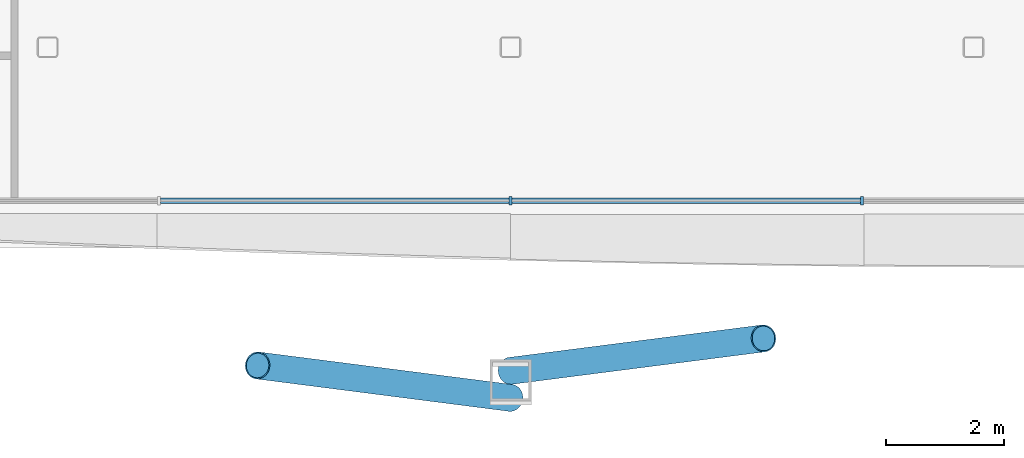
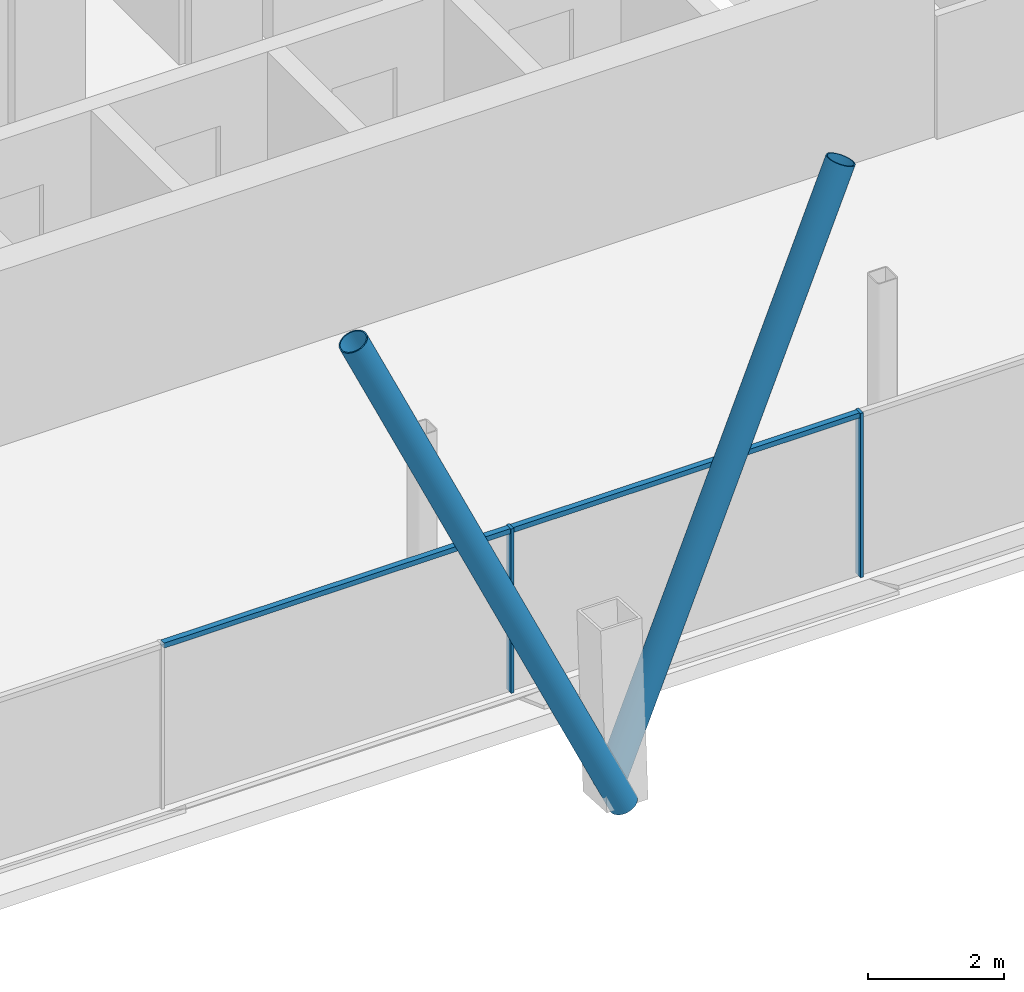
# One storey, part 5 of 21: 6 members, 1 element without a shape of its own.
"""IFC4 building model written with IfcOpenShell, lengths in metres."""

from ifc_helpers import new_model, si_unit, direction, frame, origin, origin_2d, place, context, subcontext, project, spatial, rectangle, hollow_circle, extrude, material, material_profile, profile_set, type_object, element, aggregate, save


model = new_model("IFC4")

# Units and contexts
model_context = context("Model", 3, precision=1e-05, world=origin(), true_north=direction((0.0, 1.0)))
body_context = subcontext(model_context, "Body", "Model", "MODEL_VIEW")
ifc_project = project(units=[si_unit("LENGTHUNIT", "METRE"), si_unit("AREAUNIT", "SQUARE_METRE"), si_unit("VOLUMEUNIT", "CUBIC_METRE"), si_unit("PLANEANGLEUNIT", "RADIAN"), si_unit("MASSUNIT", "GRAM", prefix="KILO")], contexts=[model_context])

# Site, building, storey
site_placement = place(None, origin())
site = spatial("IfcSite", under=ifc_project, at=site_placement, CompositionType="ELEMENT")
building_placement = place(site_placement, origin())
building = spatial("IfcBuilding", under=site, at=building_placement, Name="Tskaro Facet Tower", CompositionType="ELEMENT")
storey_placement = place(building_placement, frame((0.0, 0.0, 172.199951171875)))
storey = spatial("IfcBuildingStorey", under=building, at=storey_placement, Name="L42", CompositionType="ELEMENT", Elevation=172.199951171875)

# Members
ifc_material_1 = material(Name="Steel S355J2H", Category="steel")
ifc_material_profile_1 = material_profile(ifc_material_1, hollow_circle(Radius=0.228515625, WallThickness=0.02001953125, at=origin_2d()), Name="CHS 457x20")
ifc_profile_set_1 = profile_set([ifc_material_profile_1], Name="Steel S355J2H")
member_type_1 = type_object("IfcMemberType", Name="CHS 457x20 brace", PredefinedType="BRACE", material=ifc_profile_set_1)
for number, where, z_axis, x_axis, name in (
    (1, (-3.0, -24.50439453125, 0.0), (-0.41127610555, 0.052731925503, 0.909984235598), (-0.127174328036, -0.991880381038, 0.0), "CHS 457x20 XB01B/4"),
    (2, (-3.0, -24.047607421875, 0.0), (0.411275595577, 0.05275536964, 0.909983107237), (-0.127230108752, 0.991873227498, 0.0), "CHS 457x20 XB02A/4"),
):
    element("IfcMember", number, at=place(storey_placement, frame(where, z_axis=z_axis, x_axis=x_axis)), inside=storey, type_object=member_type_1, Name=name, PredefinedType="BRACE", context=body_context, shape_type="SweptSolid", body=[
        extrude(hollow_circle(Radius=0.228515625, WallThickness=0.02001953125, at=origin_2d()), origin(), (0.0, 0.0, 1.0), 10.384765625),
    ])

# Curtain wall, members
ifc_material_2 = material(Name="Bronze anodised aluminium 6063-T6", Category="aluminium")
curtain_wall_type = type_object("IfcCurtainWallType", Name="Bronze residence curtain wall (FW3)", PredefinedType="NOTDEFINED", material=ifc_material_2)
curtain_wall_placement = place(storey_placement, origin())
curtain_wall = element("IfcCurtainWall", 3, at=curtain_wall_placement, inside=storey, type_object=curtain_wall_type, Name="FW3 south facet L42", PredefinedType="NOTDEFINED")
ifc_material_profile_2 = material_profile(ifc_material_2, rectangle(XDim=0.050048828125, YDim=0.139892578125, at=origin_2d()), Name="Mullion 50x140")
ifc_profile_set_2 = profile_set([ifc_material_profile_2], Name="Bronze anodised aluminium 6063-T6")
member_type_2 = type_object("IfcMemberType", Name="FW3 bronze mullion 50x140", PredefinedType="MULLION", material=ifc_profile_set_2)
member_1_placement = place(storey_placement, frame((-3.0, -21.176025390625, 0.0), z_axis=(0.0, 0.0, 1.0), x_axis=(1.0, 0.0, 0.0)))
member_1 = element("IfcMember", 4, at=member_1_placement, type_object=member_type_2, Name="FW3 south mullion 3", PredefinedType="MULLION", context=body_context, shape_type="SweptSolid", body=[
    extrude(rectangle(XDim=0.050048828125, YDim=0.139892578125, at=origin_2d()), origin(), (0.0, 0.0, 1.0), 2.949951171875),
])
member_2_placement = place(storey_placement, frame((2.933349609375, -21.176025390625, 0.0), z_axis=(0.0, 0.0, 1.0), x_axis=(1.0, 0.0, 0.0)))
member_2 = element("IfcMember", 5, at=member_2_placement, type_object=member_type_2, Name="FW3 south mullion 4", PredefinedType="MULLION", context=body_context, shape_type="SweptSolid", body=[
    extrude(rectangle(XDim=0.050048828125, YDim=0.139892578125, at=origin_2d()), origin(), (0.0, 0.0, 1.0), 2.949951171875),
])
ifc_material_profile_3 = material_profile(ifc_material_2, rectangle(XDim=0.10009765625, YDim=0.090087890625, at=origin_2d()), Name="Transom 100x90")
ifc_profile_set_3 = profile_set([ifc_material_profile_3], Name="Bronze anodised aluminium 6063-T6")
member_type_3 = type_object("IfcMemberType", Name="FW3 bronze transom 100x90", PredefinedType="USERDEFINED", material=ifc_profile_set_3)
member_3_placement = place(storey_placement, frame((-8.908447265625, -21.176025390625, 2.905029296875), z_axis=(1.0, 0.0, 0.0), x_axis=(0.0, 1.0, 0.0)))
member_3 = element("IfcMember", 6, at=member_3_placement, type_object=member_type_3, Name="FW3 south transom 3.1", ObjectType="TRANSOM", PredefinedType="USERDEFINED", context=body_context, shape_type="SweptSolid", body=[
    extrude(rectangle(XDim=0.10009765625, YDim=0.090087890625, at=origin_2d()), origin(), (0.0, 0.0, 1.0), 5.883544921875),
])
member_4_placement = place(storey_placement, frame((-2.97509765625, -21.176025390625, 2.905029296875), z_axis=(1.0, 0.0, 0.0), x_axis=(0.0, 1.0, 0.0)))
member_4 = element("IfcMember", 7, at=member_4_placement, type_object=member_type_3, Name="FW3 south transom 4.1", ObjectType="TRANSOM", PredefinedType="USERDEFINED", context=body_context, shape_type="SweptSolid", body=[
    extrude(rectangle(XDim=0.10009765625, YDim=0.090087890625, at=origin_2d()), origin(), (0.0, 0.0, 1.0), 5.883544921875),
])
aggregate(curtain_wall, [member_1, member_2, member_3, member_4])

save(model, "model.ifc")
